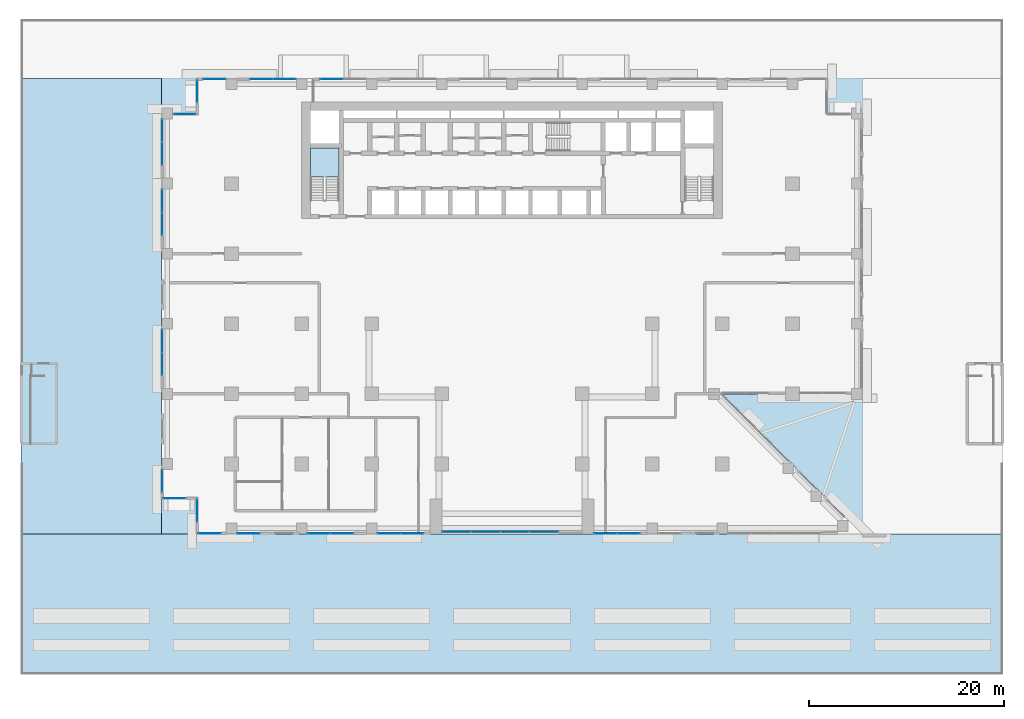
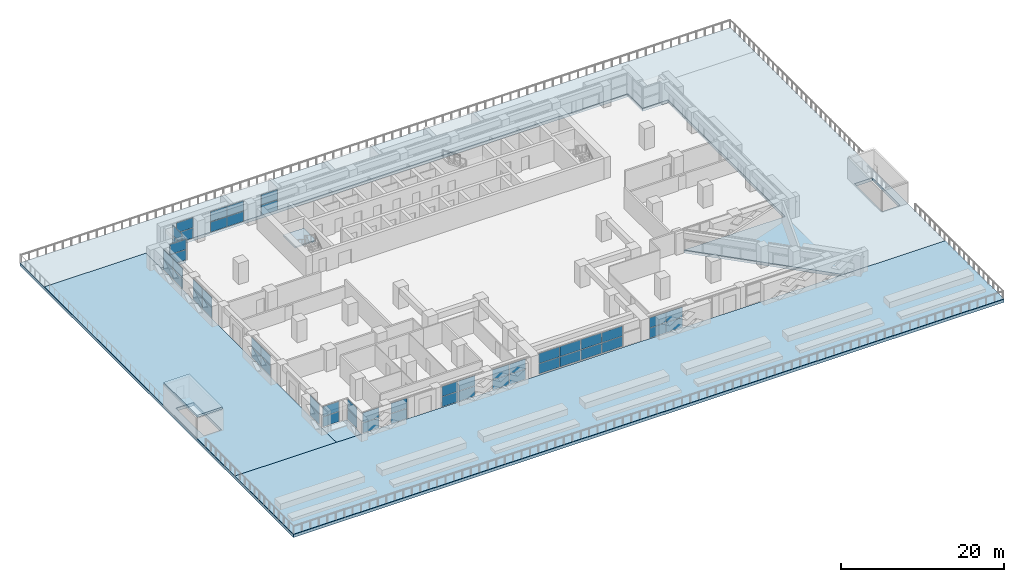
# One storey, part 10 of 24: 54 plates, 5 slabs, 18 elements without a shape of their own.
"""IFC4 building model written with IfcOpenShell, lengths in metres."""

from ifc_helpers import new_model, si_unit, direction, frame, origin, origin_2d, place, context, subcontext, project, spatial, polyline, rectangle, outline, extrude, source, transform, mapped, material, layer, layer_set, type_object, element, aggregate, save


model = new_model("IFC4")

# Units and contexts
model_context = context("Model", 3, precision=1e-05, world=origin(), true_north=direction((0.0, 1.0)))
body_context = subcontext(model_context, "Body", "Model", "MODEL_VIEW")
ifc_project = project(units=[si_unit("LENGTHUNIT", "METRE"), si_unit("AREAUNIT", "SQUARE_METRE"), si_unit("VOLUMEUNIT", "CUBIC_METRE"), si_unit("PLANEANGLEUNIT", "RADIAN"), si_unit("MASSUNIT", "GRAM", prefix="KILO")], contexts=[model_context])

# Site, building, storey
site_placement = place(None, origin())
site = spatial("IfcSite", under=ifc_project, at=site_placement, CompositionType="ELEMENT")
building_placement = place(site_placement, origin())
building = spatial("IfcBuilding", under=site, at=building_placement, Name="Saffron Iwan Residences", CompositionType="ELEMENT")
storey_placement = place(building_placement, frame((0.0, 0.0, 27.0)))
storey = spatial("IfcBuildingStorey", under=building, at=storey_placement, Name="L05", CompositionType="ELEMENT", Elevation=27.0)

# Slabs
ifc_material_1 = material(Name="Concrete C40/50", Category="concrete")
ifc_layer_1 = layer(ifc_material_1, 0.449951171875)
ifc_layer_set_1 = layer_set([ifc_layer_1], Name="Concrete C40/50")
slab_type_1 = type_object("IfcSlabType", Name="PT TERRACE PLATE 450 C40/50", PredefinedType="FLOOR", material=ifc_layer_set_1)
slab_1_placement = place(storey_placement, frame((0.0, 0.0, -0.4501953125)))
element("IfcSlab", 1, at=slab_1_placement, inside=storey, type_object=slab_type_1, Name="Terrace slab L05", PredefinedType="FLOOR", context=body_context, shape_type="SweptSolid", body=[
    extrude(outline(polyline([(100.800048828125, 19.199951171875), (0.0, 19.199951171875), (0.0, 86.39990234375), (100.800048828125, 86.39990234375), (100.800048828125, 19.199951171875)]), holes=[polyline([(72.01220703125, 47.9951171875), (86.405029296875, 47.9951171875), (86.405029296875, 76.804931640625), (82.804931640625, 76.804931640625), (82.804931640625, 80.405029296875), (17.9951171875, 80.405029296875), (17.9951171875, 76.804931640625), (14.39501953125, 76.804931640625), (14.39501953125, 37.195068359375), (17.9951171875, 37.195068359375), (17.9951171875, 33.594970703125), (86.412109375, 33.594970703125), (72.01220703125, 47.9951171875)]), polyline([(3.550048828125, 49.799560546875), (1.0, 49.799560546875), (1.0, 43.0), (3.550048828125, 43.0), (3.550048828125, 49.799560546875)]), polyline([(99.800048828125, 49.799560546875), (97.25, 49.799560546875), (97.25, 43.0), (99.800048828125, 43.0), (99.800048828125, 49.799560546875)])]), origin(), (0.0, 0.0, 1.0), 0.4501953125),
])
ifc_layer_2 = layer(ifc_material_1, 0.320068359375)
ifc_layer_set_2 = layer_set([ifc_layer_2], Name="Concrete C40/50")
slab_type_2 = type_object("IfcSlabType", Name="Podium stair head-house roof, 320", PredefinedType="ROOF", material=ifc_layer_set_2)
slab_2_placement = place(storey_placement, frame((0.0, 0.0, 3.179931640625)))
element("IfcSlab", 2, at=slab_2_placement, inside=storey, type_object=slab_type_2, Name="HH-ROOF-PS1", PredefinedType="ROOF", context=body_context, shape_type="SweptSolid", body=[
    extrude(outline(polyline([(3.64990234375, 42.89990234375), (3.64990234375, 51.10009765625), (0.0, 51.10009765625), (0.0, 42.89990234375), (3.64990234375, 42.89990234375)])), origin(), (0.0, 0.0, 1.0), 0.320068359375),
])

# Stair, slab
ifc_material_2 = material(Name="Concrete C50/60", Category="concrete")
stair_type = type_object("IfcStairType", Name="Stair ST-CORE", PredefinedType="HALF_TURN_STAIR", material=ifc_material_2)
stair_placement = place(storey_placement, origin())
stair = element("IfcStair", 3, at=stair_placement, inside=storey, type_object=stair_type, Name="L05 Exit Stair ST-W", PredefinedType="HALF_TURN_STAIR")
ifc_layer_3 = layer(ifc_material_2, 0.199951171875)
ifc_layer_set_3 = layer_set([ifc_layer_3], Name="Concrete C50/60")
slab_type_3 = type_object("IfcSlabType", Name="Stair landing SL-RC", PredefinedType="LANDING", material=ifc_layer_set_3)
slab_3_placement = place(storey_placement, frame((0.0, 0.0, 1.5498046875)))
slab_3 = element("IfcSlab", 4, at=slab_3_placement, type_object=slab_type_3, Name="ST-W landing 1", PredefinedType="LANDING", context=body_context, shape_type="SweptSolid", body=[
    extrude(outline(polyline([(32.64990234375, 70.280029296875), (32.64990234375, 73.25), (29.699951171875, 73.25), (29.699951171875, 70.280029296875), (32.64990234375, 70.280029296875)])), origin(), (0.0, 0.0, 1.0), 0.2001953125),
])
aggregate(stair, [slab_3])

# Slabs
ifc_material_3 = material(Name="Stone paving", Category="masonry")
ifc_layer_4 = layer(ifc_material_3, 0.050048828125)
ifc_layer_set_4 = layer_set([ifc_layer_4], Name="Stone paving")
slab_type_4 = type_object("IfcSlabType", Name="TERRACE PAVING 50", PredefinedType="USERDEFINED", material=ifc_layer_set_4)
slab_4_placement = place(storey_placement, origin())
element("IfcSlab", 5, at=slab_4_placement, inside=storey, type_object=slab_type_4, Name="Terrace paving L05 S1", ObjectType="PAVING", PredefinedType="USERDEFINED", context=body_context, shape_type="SweptSolid", body=[
    extrude(outline(polyline([(100.800048828125, 33.60009765625), (86.39990234375, 33.60009765625), (18.0, 33.60009765625), (0.0, 33.60009765625), (0.0, 19.199951171875), (100.800048828125, 19.199951171875), (100.800048828125, 33.60009765625)])), origin(), (0.0, 0.0, 1.0), 0.050048828125),
])
slab_5_placement = place(storey_placement, origin())
element("IfcSlab", 6, at=slab_5_placement, inside=storey, type_object=slab_type_4, Name="Terrace paving L05 W3", ObjectType="PAVING", PredefinedType="USERDEFINED", context=body_context, shape_type="SweptSolid", body=[
    extrude(outline(polyline([(0.0, 33.60009765625), (14.39990234375, 33.60009765625), (14.39990234375, 37.199951171875), (14.39990234375, 76.800048828125), (14.39990234375, 80.39990234375), (0.0, 80.39990234375), (0.0, 33.60009765625)]), holes=[polyline([(3.550048828125, 49.799560546875), (1.0, 49.799560546875), (1.0, 43.0), (3.550048828125, 43.0), (3.550048828125, 49.799560546875)])]), origin(), (0.0, 0.0, 1.0), 0.050048828125),
])

# Curtain wall, plates
ifc_material_4 = material(Name="Clear glass, laminated double glazed", Category="glass")
ifc_layer_5 = layer(ifc_material_4, 0.14990234375)
ifc_layer_set_5 = layer_set([ifc_layer_5], Name="Clear glass, laminated double glazed")
curtain_wall_type_1 = type_object("IfcCurtainWallType", Name="CW-D GARDEN FLOOR GLAZING", PredefinedType="NOTDEFINED", material=ifc_layer_set_5)
curtain_wall_1_placement = place(storey_placement, origin())
curtain_wall_1 = element("IfcCurtainWall", 7, at=curtain_wall_1_placement, inside=storey, type_object=curtain_wall_type_1, Name="Glazing L05 F5.9", PredefinedType="NOTDEFINED")
ifc_layer_6 = layer(ifc_material_4, 0.028076171875)
ifc_layer_set_6 = layer_set([ifc_layer_6], Name="Clear glass, laminated double glazed")
plate_type_1 = type_object("IfcPlateType", Name="CW-D PANEL 28", PredefinedType="CURTAIN_PANEL", material=ifc_layer_set_6)
shared_shape_1 = source(origin(), body_context, "Body", "SweptSolid", [
    extrude(rectangle(XDim=2.280029296875, YDim=0.028076171875, at=origin_2d()), origin(), (0.0, 0.0, 1.0), 1.5),
])
plate_1_placement = place(storey_placement, frame((19.85009765625, 80.320068359375, 0.06005859375), z_axis=(0.0, 0.0, 1.0), x_axis=(-1.0, 0.0, 0.0)))
plate_1 = element("IfcPlate", 8, at=plate_1_placement, type_object=plate_type_1, Name="CW-D panel 1.1", PredefinedType="CURTAIN_PANEL", context=body_context, shape_type="MappedRepresentation", body=[
    mapped(shared_shape_1, transform((0.0, 0.0, 0.0))),
])
plate_2_placement = place(storey_placement, frame((19.85009765625, 80.320068359375, 1.6201171875), z_axis=(0.0, 0.0, 1.0), x_axis=(-1.0, 0.0, 0.0)))
plate_2 = element("IfcPlate", 9, at=plate_2_placement, type_object=plate_type_1, Name="CW-D panel 1.2", PredefinedType="CURTAIN_PANEL", context=body_context, shape_type="MappedRepresentation", body=[
    mapped(shared_shape_1, transform((0.0, 0.0, 0.0))),
])
aggregate(curtain_wall_1, [plate_1, plate_2])

curtain_wall_2_placement = place(storey_placement, origin())
curtain_wall_2 = element("IfcCurtainWall", 10, at=curtain_wall_2_placement, inside=storey, type_object=curtain_wall_type_1, Name="Glazing L05 F6.0", PredefinedType="NOTDEFINED")
plate_3_placement = place(storey_placement, frame((18.080078125, 79.070068359375, 0.06005859375), z_axis=(0.0, 0.0, 1.0), x_axis=(0.0, -1.0, 0.0)))
plate_3 = element("IfcPlate", 11, at=plate_3_placement, type_object=plate_type_1, Name="CW-D panel 1.1", PredefinedType="CURTAIN_PANEL", context=body_context, shape_type="MappedRepresentation", body=[
    mapped(shared_shape_1, transform((0.0, 0.0, 0.0))),
])
plate_4_placement = place(storey_placement, frame((18.080078125, 79.070068359375, 1.6201171875), z_axis=(0.0, 0.0, 1.0), x_axis=(0.0, -1.0, 0.0)))
plate_4 = element("IfcPlate", 12, at=plate_4_placement, type_object=plate_type_1, Name="CW-D panel 1.2", PredefinedType="CURTAIN_PANEL", context=body_context, shape_type="MappedRepresentation", body=[
    mapped(shared_shape_1, transform((0.0, 0.0, 0.0))),
])
aggregate(curtain_wall_2, [plate_3, plate_4])

curtain_wall_3_placement = place(storey_placement, origin())
curtain_wall_3 = element("IfcCurtainWall", 13, at=curtain_wall_3_placement, inside=storey, type_object=curtain_wall_type_1, Name="Glazing L05 F7.0", PredefinedType="NOTDEFINED")
plate_5_placement = place(storey_placement, frame((16.7900390625, 76.719970703125, 0.06005859375), z_axis=(0.0, 0.0, 1.0), x_axis=(-1.0, 0.0, 0.0)))
plate_5 = element("IfcPlate", 14, at=plate_5_placement, type_object=plate_type_1, Name="CW-D panel 1.1", PredefinedType="CURTAIN_PANEL", context=body_context, shape_type="MappedRepresentation", body=[
    mapped(shared_shape_1, transform((0.0, 0.0, 0.0))),
])
plate_6_placement = place(storey_placement, frame((16.7900390625, 76.719970703125, 1.6201171875), z_axis=(0.0, 0.0, 1.0), x_axis=(-1.0, 0.0, 0.0)))
plate_6 = element("IfcPlate", 15, at=plate_6_placement, type_object=plate_type_1, Name="CW-D panel 1.2", PredefinedType="CURTAIN_PANEL", context=body_context, shape_type="MappedRepresentation", body=[
    mapped(shared_shape_1, transform((0.0, 0.0, 0.0))),
])
aggregate(curtain_wall_3, [plate_5, plate_6])

curtain_wall_4_placement = place(storey_placement, origin())
curtain_wall_4 = element("IfcCurtainWall", 16, at=curtain_wall_4_placement, inside=storey, type_object=curtain_wall_type_1, Name="Glazing L05 F8.6", PredefinedType="NOTDEFINED")
plate_7_placement = place(storey_placement, frame((14.47998046875, 39.050048828125, 0.06005859375), z_axis=(0.0, 0.0, 1.0), x_axis=(0.0, -1.0, 0.0)))
plate_7 = element("IfcPlate", 17, at=plate_7_placement, type_object=plate_type_1, Name="CW-D panel 1.1", PredefinedType="CURTAIN_PANEL", context=body_context, shape_type="MappedRepresentation", body=[
    mapped(shared_shape_1, transform((0.0, 0.0, 0.0))),
])
plate_8_placement = place(storey_placement, frame((14.47998046875, 39.050048828125, 1.6201171875), z_axis=(0.0, 0.0, 1.0), x_axis=(0.0, -1.0, 0.0)))
plate_8 = element("IfcPlate", 18, at=plate_8_placement, type_object=plate_type_1, Name="CW-D panel 1.2", PredefinedType="CURTAIN_PANEL", context=body_context, shape_type="MappedRepresentation", body=[
    mapped(shared_shape_1, transform((0.0, 0.0, 0.0))),
])
aggregate(curtain_wall_4, [plate_7, plate_8])

curtain_wall_5_placement = place(storey_placement, origin())
curtain_wall_5 = element("IfcCurtainWall", 19, at=curtain_wall_5_placement, inside=storey, type_object=curtain_wall_type_1, Name="Glazing L05 F9.0", PredefinedType="NOTDEFINED")
plate_9_placement = place(storey_placement, frame((15.72998046875, 37.280029296875, 0.06005859375), z_axis=(0.0, 0.0, 1.0), x_axis=(1.0, 0.0, 0.0)))
plate_9 = element("IfcPlate", 20, at=plate_9_placement, type_object=plate_type_1, Name="CW-D panel 1.1", PredefinedType="CURTAIN_PANEL", context=body_context, shape_type="MappedRepresentation", body=[
    mapped(shared_shape_1, transform((0.0, 0.0, 0.0))),
])
plate_10_placement = place(storey_placement, frame((15.72998046875, 37.280029296875, 1.6201171875), z_axis=(0.0, 0.0, 1.0), x_axis=(1.0, 0.0, 0.0)))
plate_10 = element("IfcPlate", 21, at=plate_10_placement, type_object=plate_type_1, Name="CW-D panel 1.2", PredefinedType="CURTAIN_PANEL", context=body_context, shape_type="MappedRepresentation", body=[
    mapped(shared_shape_1, transform((0.0, 0.0, 0.0))),
])
aggregate(curtain_wall_5, [plate_9, plate_10])

curtain_wall_6_placement = place(storey_placement, origin())
curtain_wall_6 = element("IfcCurtainWall", 22, at=curtain_wall_6_placement, inside=storey, type_object=curtain_wall_type_1, Name="Glazing L05 F10.0", PredefinedType="NOTDEFINED")
plate_11_placement = place(storey_placement, frame((18.080078125, 36.030029296875, 0.06005859375), z_axis=(0.0, 0.0, 1.0), x_axis=(0.0, -1.0, 0.0)))
plate_11 = element("IfcPlate", 23, at=plate_11_placement, type_object=plate_type_1, Name="CW-D panel 1.1", PredefinedType="CURTAIN_PANEL", context=body_context, shape_type="MappedRepresentation", body=[
    mapped(shared_shape_1, transform((0.0, 0.0, 0.0))),
])
plate_12_placement = place(storey_placement, frame((18.080078125, 36.030029296875, 1.6201171875), z_axis=(0.0, 0.0, 1.0), x_axis=(0.0, -1.0, 0.0)))
plate_12 = element("IfcPlate", 24, at=plate_12_placement, type_object=plate_type_1, Name="CW-D panel 1.2", PredefinedType="CURTAIN_PANEL", context=body_context, shape_type="MappedRepresentation", body=[
    mapped(shared_shape_1, transform((0.0, 0.0, 0.0))),
])
aggregate(curtain_wall_6, [plate_11, plate_12])

curtain_wall_7_placement = place(storey_placement, origin())
curtain_wall_7 = element("IfcCurtainWall", 25, at=curtain_wall_7_placement, inside=storey, type_object=curtain_wall_type_1, Name="Glazing L05 F11.0", PredefinedType="NOTDEFINED")
plate_13_placement = place(storey_placement, frame((19.330078125, 33.679931640625, 0.06005859375), z_axis=(0.0, 0.0, 1.0), x_axis=(1.0, 0.0, 0.0)))
plate_13 = element("IfcPlate", 26, at=plate_13_placement, type_object=plate_type_1, Name="CW-D panel 1.1", PredefinedType="CURTAIN_PANEL", context=body_context, shape_type="MappedRepresentation", body=[
    mapped(shared_shape_1, transform((0.0, 0.0, 0.0))),
])
plate_14_placement = place(storey_placement, frame((19.330078125, 33.679931640625, 1.6201171875), z_axis=(0.0, 0.0, 1.0), x_axis=(1.0, 0.0, 0.0)))
plate_14 = element("IfcPlate", 27, at=plate_14_placement, type_object=plate_type_1, Name="CW-D panel 1.2", PredefinedType="CURTAIN_PANEL", context=body_context, shape_type="MappedRepresentation", body=[
    mapped(shared_shape_1, transform((0.0, 0.0, 0.0))),
])
aggregate(curtain_wall_7, [plate_13, plate_14])

curtain_wall_8_placement = place(storey_placement, origin())
curtain_wall_8 = element("IfcCurtainWall", 28, at=curtain_wall_8_placement, inside=storey, type_object=curtain_wall_type_1, Name="Glazing L05 F11.1", PredefinedType="NOTDEFINED")
plate_15_placement = place(storey_placement, frame((23.35009765625, 33.679931640625, 0.06005859375), z_axis=(0.0, 0.0, 1.0), x_axis=(1.0, 0.0, 0.0)))
plate_15 = element("IfcPlate", 29, at=plate_15_placement, type_object=plate_type_1, Name="CW-D panel 1.1", PredefinedType="CURTAIN_PANEL", context=body_context, shape_type="MappedRepresentation", body=[
    mapped(shared_shape_1, transform((0.0, 0.0, 0.0))),
])
plate_16_placement = place(storey_placement, frame((23.35009765625, 33.679931640625, 1.6201171875), z_axis=(0.0, 0.0, 1.0), x_axis=(1.0, 0.0, 0.0)))
plate_16 = element("IfcPlate", 30, at=plate_16_placement, type_object=plate_type_1, Name="CW-D panel 1.2", PredefinedType="CURTAIN_PANEL", context=body_context, shape_type="MappedRepresentation", body=[
    mapped(shared_shape_1, transform((0.0, 0.0, 0.0))),
])
aggregate(curtain_wall_8, [plate_15, plate_16])

curtain_wall_9_placement = place(storey_placement, origin())
curtain_wall_9 = element("IfcCurtainWall", 31, at=curtain_wall_9_placement, inside=storey, type_object=curtain_wall_type_1, Name="Glazing L05 F5.7", PredefinedType="NOTDEFINED")
shared_shape_2 = source(origin(), body_context, "Body", "SweptSolid", [
    extrude(rectangle(XDim=2.31005859375, YDim=0.028076171875, at=origin_2d()), origin(), (0.0, 0.0, 1.0), 1.5),
])
plate_17_placement = place(storey_placement, frame((31.864990234375, 80.320068359375, 0.06005859375), z_axis=(0.0, 0.0, 1.0), x_axis=(-1.0, 0.0, 0.0)))
plate_17 = element("IfcPlate", 32, at=plate_17_placement, type_object=plate_type_1, Name="CW-D panel 2.1", PredefinedType="CURTAIN_PANEL", context=body_context, shape_type="MappedRepresentation", body=[
    mapped(shared_shape_2, transform((0.0, 0.0, 0.0))),
])
plate_18_placement = place(storey_placement, frame((31.864990234375, 80.320068359375, 1.6201171875), z_axis=(0.0, 0.0, 1.0), x_axis=(-1.0, 0.0, 0.0)))
plate_18 = element("IfcPlate", 33, at=plate_18_placement, type_object=plate_type_1, Name="CW-D panel 2.2", PredefinedType="CURTAIN_PANEL", context=body_context, shape_type="MappedRepresentation", body=[
    mapped(shared_shape_2, transform((0.0, 0.0, 0.0))),
])
aggregate(curtain_wall_9, [plate_17, plate_18])

curtain_wall_10_placement = place(storey_placement, origin())
curtain_wall_10 = element("IfcCurtainWall", 34, at=curtain_wall_10_placement, inside=storey, type_object=curtain_wall_type_1, Name="Glazing L05 F5.8", PredefinedType="NOTDEFINED")
plate_19_placement = place(storey_placement, frame((27.034912109375, 80.320068359375, 0.06005859375), z_axis=(0.0, 0.0, 1.0), x_axis=(-1.0, 0.0, 0.0)))
plate_19 = element("IfcPlate", 35, at=plate_19_placement, type_object=plate_type_1, Name="CW-D panel 1.1", PredefinedType="CURTAIN_PANEL", context=body_context, shape_type="MappedRepresentation", body=[
    mapped(shared_shape_2, transform((0.0, 0.0, 0.0))),
])
plate_20_placement = place(storey_placement, frame((27.034912109375, 80.320068359375, 1.6201171875), z_axis=(0.0, 0.0, 1.0), x_axis=(-1.0, 0.0, 0.0)))
plate_20 = element("IfcPlate", 36, at=plate_20_placement, type_object=plate_type_1, Name="CW-D panel 1.2", PredefinedType="CURTAIN_PANEL", context=body_context, shape_type="MappedRepresentation", body=[
    mapped(shared_shape_2, transform((0.0, 0.0, 0.0))),
])
plate_21_placement = place(storey_placement, frame((24.6650390625, 80.320068359375, 0.06005859375), z_axis=(0.0, 0.0, 1.0), x_axis=(-1.0, 0.0, 0.0)))
plate_21 = element("IfcPlate", 37, at=plate_21_placement, type_object=plate_type_1, Name="CW-D panel 2.1", PredefinedType="CURTAIN_PANEL", context=body_context, shape_type="MappedRepresentation", body=[
    mapped(shared_shape_2, transform((0.0, 0.0, 0.0))),
])
plate_22_placement = place(storey_placement, frame((24.6650390625, 80.320068359375, 1.6201171875), z_axis=(0.0, 0.0, 1.0), x_axis=(-1.0, 0.0, 0.0)))
plate_22 = element("IfcPlate", 38, at=plate_22_placement, type_object=plate_type_1, Name="CW-D panel 2.2", PredefinedType="CURTAIN_PANEL", context=body_context, shape_type="MappedRepresentation", body=[
    mapped(shared_shape_2, transform((0.0, 0.0, 0.0))),
])
aggregate(curtain_wall_10, [plate_19, plate_20, plate_21, plate_22])

curtain_wall_11_placement = place(storey_placement, origin())
curtain_wall_11 = element("IfcCurtainWall", 39, at=curtain_wall_11_placement, inside=storey, type_object=curtain_wall_type_1, Name="Glazing L05 F8.0", PredefinedType="NOTDEFINED")
plate_23_placement = place(storey_placement, frame((14.47998046875, 75.034912109375, 0.06005859375), z_axis=(0.0, 0.0, 1.0), x_axis=(0.0, -1.0, 0.0)))
plate_23 = element("IfcPlate", 40, at=plate_23_placement, type_object=plate_type_1, Name="CW-D panel 1.1", PredefinedType="CURTAIN_PANEL", context=body_context, shape_type="MappedRepresentation", body=[
    mapped(shared_shape_2, transform((0.0, 0.0, 0.0))),
])
plate_24_placement = place(storey_placement, frame((14.47998046875, 75.034912109375, 1.6201171875), z_axis=(0.0, 0.0, 1.0), x_axis=(0.0, -1.0, 0.0)))
plate_24 = element("IfcPlate", 41, at=plate_24_placement, type_object=plate_type_1, Name="CW-D panel 1.2", PredefinedType="CURTAIN_PANEL", context=body_context, shape_type="MappedRepresentation", body=[
    mapped(shared_shape_2, transform((0.0, 0.0, 0.0))),
])
plate_25_placement = place(storey_placement, frame((14.47998046875, 72.6650390625, 0.06005859375), z_axis=(0.0, 0.0, 1.0), x_axis=(0.0, -1.0, 0.0)))
plate_25 = element("IfcPlate", 42, at=plate_25_placement, type_object=plate_type_1, Name="CW-D panel 2.1", PredefinedType="CURTAIN_PANEL", context=body_context, shape_type="MappedRepresentation", body=[
    mapped(shared_shape_2, transform((0.0, 0.0, 0.0))),
])
plate_26_placement = place(storey_placement, frame((14.47998046875, 72.6650390625, 1.6201171875), z_axis=(0.0, 0.0, 1.0), x_axis=(0.0, -1.0, 0.0)))
plate_26 = element("IfcPlate", 43, at=plate_26_placement, type_object=plate_type_1, Name="CW-D panel 2.2", PredefinedType="CURTAIN_PANEL", context=body_context, shape_type="MappedRepresentation", body=[
    mapped(shared_shape_2, transform((0.0, 0.0, 0.0))),
])
aggregate(curtain_wall_11, [plate_23, plate_24, plate_25, plate_26])

curtain_wall_12_placement = place(storey_placement, origin())
curtain_wall_12 = element("IfcCurtainWall", 44, at=curtain_wall_12_placement, inside=storey, type_object=curtain_wall_type_1, Name="Glazing L05 F8.1", PredefinedType="NOTDEFINED")
plate_27_placement = place(storey_placement, frame((14.47998046875, 67.8349609375, 0.06005859375), z_axis=(0.0, 0.0, 1.0), x_axis=(0.0, -1.0, 0.0)))
plate_27 = element("IfcPlate", 45, at=plate_27_placement, type_object=plate_type_1, Name="CW-D panel 1.1", PredefinedType="CURTAIN_PANEL", context=body_context, shape_type="MappedRepresentation", body=[
    mapped(shared_shape_2, transform((0.0, 0.0, 0.0))),
])
plate_28_placement = place(storey_placement, frame((14.47998046875, 67.8349609375, 1.6201171875), z_axis=(0.0, 0.0, 1.0), x_axis=(0.0, -1.0, 0.0)))
plate_28 = element("IfcPlate", 46, at=plate_28_placement, type_object=plate_type_1, Name="CW-D panel 1.2", PredefinedType="CURTAIN_PANEL", context=body_context, shape_type="MappedRepresentation", body=[
    mapped(shared_shape_2, transform((0.0, 0.0, 0.0))),
])
plate_29_placement = place(storey_placement, frame((14.47998046875, 65.465087890625, 0.06005859375), z_axis=(0.0, 0.0, 1.0), x_axis=(0.0, -1.0, 0.0)))
plate_29 = element("IfcPlate", 47, at=plate_29_placement, type_object=plate_type_1, Name="CW-D panel 2.1", PredefinedType="CURTAIN_PANEL", context=body_context, shape_type="MappedRepresentation", body=[
    mapped(shared_shape_2, transform((0.0, 0.0, 0.0))),
])
plate_30_placement = place(storey_placement, frame((14.47998046875, 65.465087890625, 1.6201171875), z_axis=(0.0, 0.0, 1.0), x_axis=(0.0, -1.0, 0.0)))
plate_30 = element("IfcPlate", 48, at=plate_30_placement, type_object=plate_type_1, Name="CW-D panel 2.2", PredefinedType="CURTAIN_PANEL", context=body_context, shape_type="MappedRepresentation", body=[
    mapped(shared_shape_2, transform((0.0, 0.0, 0.0))),
])
aggregate(curtain_wall_12, [plate_27, plate_28, plate_29, plate_30])

curtain_wall_13_placement = place(storey_placement, origin())
curtain_wall_13 = element("IfcCurtainWall", 49, at=curtain_wall_13_placement, inside=storey, type_object=curtain_wall_type_1, Name="Glazing L05 F8.3", PredefinedType="NOTDEFINED")
plate_31_placement = place(storey_placement, frame((14.47998046875, 53.43505859375, 0.06005859375), z_axis=(0.0, 0.0, 1.0), x_axis=(0.0, -1.0, 0.0)))
plate_31 = element("IfcPlate", 50, at=plate_31_placement, type_object=plate_type_1, Name="CW-D panel 1.1", PredefinedType="CURTAIN_PANEL", context=body_context, shape_type="MappedRepresentation", body=[
    mapped(shared_shape_2, transform((0.0, 0.0, 0.0))),
])
plate_32_placement = place(storey_placement, frame((14.47998046875, 53.43505859375, 1.6201171875), z_axis=(0.0, 0.0, 1.0), x_axis=(0.0, -1.0, 0.0)))
plate_32 = element("IfcPlate", 51, at=plate_32_placement, type_object=plate_type_1, Name="CW-D panel 1.2", PredefinedType="CURTAIN_PANEL", context=body_context, shape_type="MappedRepresentation", body=[
    mapped(shared_shape_2, transform((0.0, 0.0, 0.0))),
])
plate_33_placement = place(storey_placement, frame((14.47998046875, 51.06494140625, 0.06005859375), z_axis=(0.0, 0.0, 1.0), x_axis=(0.0, -1.0, 0.0)))
plate_33 = element("IfcPlate", 52, at=plate_33_placement, type_object=plate_type_1, Name="CW-D panel 2.1", PredefinedType="CURTAIN_PANEL", context=body_context, shape_type="MappedRepresentation", body=[
    mapped(shared_shape_2, transform((0.0, 0.0, 0.0))),
])
plate_34_placement = place(storey_placement, frame((14.47998046875, 51.06494140625, 1.6201171875), z_axis=(0.0, 0.0, 1.0), x_axis=(0.0, -1.0, 0.0)))
plate_34 = element("IfcPlate", 53, at=plate_34_placement, type_object=plate_type_1, Name="CW-D panel 2.2", PredefinedType="CURTAIN_PANEL", context=body_context, shape_type="MappedRepresentation", body=[
    mapped(shared_shape_2, transform((0.0, 0.0, 0.0))),
])
aggregate(curtain_wall_13, [plate_31, plate_32, plate_33, plate_34])

curtain_wall_14_placement = place(storey_placement, origin())
curtain_wall_14 = element("IfcCurtainWall", 54, at=curtain_wall_14_placement, inside=storey, type_object=curtain_wall_type_1, Name="Glazing L05 F11.2", PredefinedType="NOTDEFINED")
plate_35_placement = place(storey_placement, frame((30.56494140625, 33.679931640625, 0.06005859375), z_axis=(0.0, 0.0, 1.0), x_axis=(1.0, 0.0, 0.0)))
plate_35 = element("IfcPlate", 55, at=plate_35_placement, type_object=plate_type_1, Name="CW-D panel 1.1", PredefinedType="CURTAIN_PANEL", context=body_context, shape_type="MappedRepresentation", body=[
    mapped(shared_shape_2, transform((0.0, 0.0, 0.0))),
])
plate_36_placement = place(storey_placement, frame((30.56494140625, 33.679931640625, 1.6201171875), z_axis=(0.0, 0.0, 1.0), x_axis=(1.0, 0.0, 0.0)))
plate_36 = element("IfcPlate", 56, at=plate_36_placement, type_object=plate_type_1, Name="CW-D panel 1.2", PredefinedType="CURTAIN_PANEL", context=body_context, shape_type="MappedRepresentation", body=[
    mapped(shared_shape_2, transform((0.0, 0.0, 0.0))),
])
plate_37_placement = place(storey_placement, frame((32.93505859375, 33.679931640625, 0.06005859375), z_axis=(0.0, 0.0, 1.0), x_axis=(1.0, 0.0, 0.0)))
plate_37 = element("IfcPlate", 57, at=plate_37_placement, type_object=plate_type_1, Name="CW-D panel 2.1", PredefinedType="CURTAIN_PANEL", context=body_context, shape_type="MappedRepresentation", body=[
    mapped(shared_shape_2, transform((0.0, 0.0, 0.0))),
])
plate_38_placement = place(storey_placement, frame((32.93505859375, 33.679931640625, 1.6201171875), z_axis=(0.0, 0.0, 1.0), x_axis=(1.0, 0.0, 0.0)))
plate_38 = element("IfcPlate", 58, at=plate_38_placement, type_object=plate_type_1, Name="CW-D panel 2.2", PredefinedType="CURTAIN_PANEL", context=body_context, shape_type="MappedRepresentation", body=[
    mapped(shared_shape_2, transform((0.0, 0.0, 0.0))),
])
aggregate(curtain_wall_14, [plate_35, plate_36, plate_37, plate_38])

curtain_wall_15_placement = place(storey_placement, origin())
curtain_wall_15 = element("IfcCurtainWall", 59, at=curtain_wall_15_placement, inside=storey, type_object=curtain_wall_type_1, Name="Glazing L05 F11.3", PredefinedType="NOTDEFINED")
plate_39_placement = place(storey_placement, frame((37.764892578125, 33.679931640625, 0.06005859375), z_axis=(0.0, 0.0, 1.0), x_axis=(1.0, 0.0, 0.0)))
plate_39 = element("IfcPlate", 60, at=plate_39_placement, type_object=plate_type_1, Name="CW-D panel 1.1", PredefinedType="CURTAIN_PANEL", context=body_context, shape_type="MappedRepresentation", body=[
    mapped(shared_shape_2, transform((0.0, 0.0, 0.0))),
])
plate_40_placement = place(storey_placement, frame((37.764892578125, 33.679931640625, 1.6201171875), z_axis=(0.0, 0.0, 1.0), x_axis=(1.0, 0.0, 0.0)))
plate_40 = element("IfcPlate", 61, at=plate_40_placement, type_object=plate_type_1, Name="CW-D panel 1.2", PredefinedType="CURTAIN_PANEL", context=body_context, shape_type="MappedRepresentation", body=[
    mapped(shared_shape_2, transform((0.0, 0.0, 0.0))),
])
plate_41_placement = place(storey_placement, frame((40.135009765625, 33.679931640625, 0.06005859375), z_axis=(0.0, 0.0, 1.0), x_axis=(1.0, 0.0, 0.0)))
plate_41 = element("IfcPlate", 62, at=plate_41_placement, type_object=plate_type_1, Name="CW-D panel 2.1", PredefinedType="CURTAIN_PANEL", context=body_context, shape_type="MappedRepresentation", body=[
    mapped(shared_shape_2, transform((0.0, 0.0, 0.0))),
])
plate_42_placement = place(storey_placement, frame((40.135009765625, 33.679931640625, 1.6201171875), z_axis=(0.0, 0.0, 1.0), x_axis=(1.0, 0.0, 0.0)))
plate_42 = element("IfcPlate", 63, at=plate_42_placement, type_object=plate_type_1, Name="CW-D panel 2.2", PredefinedType="CURTAIN_PANEL", context=body_context, shape_type="MappedRepresentation", body=[
    mapped(shared_shape_2, transform((0.0, 0.0, 0.0))),
])
aggregate(curtain_wall_15, [plate_39, plate_40, plate_41, plate_42])

curtain_wall_16_placement = place(storey_placement, origin())
curtain_wall_16 = element("IfcCurtainWall", 64, at=curtain_wall_16_placement, inside=storey, type_object=curtain_wall_type_1, Name="Glazing L05 F11.4", PredefinedType="NOTDEFINED")
plate_43_placement = place(storey_placement, frame((60.014892578125, 33.679931640625, 0.06005859375), z_axis=(0.0, 0.0, 1.0), x_axis=(1.0, 0.0, 0.0)))
plate_43 = element("IfcPlate", 65, at=plate_43_placement, type_object=plate_type_1, Name="CW-D panel 1.1", PredefinedType="CURTAIN_PANEL", context=body_context, shape_type="MappedRepresentation", body=[
    mapped(shared_shape_2, transform((0.0, 0.0, 0.0))),
])
plate_44_placement = place(storey_placement, frame((60.014892578125, 33.679931640625, 1.6201171875), z_axis=(0.0, 0.0, 1.0), x_axis=(1.0, 0.0, 0.0)))
plate_44 = element("IfcPlate", 66, at=plate_44_placement, type_object=plate_type_1, Name="CW-D panel 1.2", PredefinedType="CURTAIN_PANEL", context=body_context, shape_type="MappedRepresentation", body=[
    mapped(shared_shape_2, transform((0.0, 0.0, 0.0))),
])
plate_45_placement = place(storey_placement, frame((62.385009765625, 33.679931640625, 0.06005859375), z_axis=(0.0, 0.0, 1.0), x_axis=(1.0, 0.0, 0.0)))
plate_45 = element("IfcPlate", 67, at=plate_45_placement, type_object=plate_type_1, Name="CW-D panel 2.1", PredefinedType="CURTAIN_PANEL", context=body_context, shape_type="MappedRepresentation", body=[
    mapped(shared_shape_2, transform((0.0, 0.0, 0.0))),
])
plate_46_placement = place(storey_placement, frame((62.385009765625, 33.679931640625, 1.6201171875), z_axis=(0.0, 0.0, 1.0), x_axis=(1.0, 0.0, 0.0)))
plate_46 = element("IfcPlate", 68, at=plate_46_placement, type_object=plate_type_1, Name="CW-D panel 2.2", PredefinedType="CURTAIN_PANEL", context=body_context, shape_type="MappedRepresentation", body=[
    mapped(shared_shape_2, transform((0.0, 0.0, 0.0))),
])
aggregate(curtain_wall_16, [plate_43, plate_44, plate_45, plate_46])

ifc_layer_7 = layer(ifc_material_4, 0.199951171875)
ifc_layer_set_7 = layer_set([ifc_layer_7], Name="Clear glass, laminated double glazed")
curtain_wall_type_2 = type_object("IfcCurtainWallType", Name="CW-B IWAN PORTAL", PredefinedType="NOTDEFINED", material=ifc_layer_set_7)
curtain_wall_17_placement = place(storey_placement, origin())
curtain_wall_17 = element("IfcCurtainWall", 69, at=curtain_wall_17_placement, inside=storey, type_object=curtain_wall_type_2, Name="Iwan portal glazing L05.1", PredefinedType="NOTDEFINED")
ifc_layer_8 = layer(ifc_material_4, 0.028076171875)
ifc_layer_set_8 = layer_set([ifc_layer_8], Name="Clear glass, laminated double glazed")
plate_type_2 = type_object("IfcPlateType", Name="CW-B PANEL 28", PredefinedType="CURTAIN_PANEL", material=ifc_layer_set_8)
shared_shape_3 = source(origin(), body_context, "Body", "SweptSolid", [
    extrude(rectangle(XDim=2.909912109375, YDim=0.028076171875, at=origin_2d()), origin(), (0.0, 0.0, 1.0), 1.5),
])
plate_47_placement = place(storey_placement, frame((44.715087890625, 33.85009765625, 0.06005859375), z_axis=(0.0, 0.0, 1.0), x_axis=(1.0, 0.0, 0.0)))
plate_47 = element("IfcPlate", 70, at=plate_47_placement, type_object=plate_type_2, Name="CW-B panel 1.1", PredefinedType="CURTAIN_PANEL", context=body_context, shape_type="MappedRepresentation", body=[
    mapped(shared_shape_3, transform((0.0, 0.0, 0.0))),
])
plate_48_placement = place(storey_placement, frame((44.715087890625, 33.85009765625, 1.6201171875), z_axis=(0.0, 0.0, 1.0), x_axis=(1.0, 0.0, 0.0)))
plate_48 = element("IfcPlate", 71, at=plate_48_placement, type_object=plate_type_2, Name="CW-B panel 1.2", PredefinedType="CURTAIN_PANEL", context=body_context, shape_type="MappedRepresentation", body=[
    mapped(shared_shape_3, transform((0.0, 0.0, 0.0))),
])
plate_49_placement = place(storey_placement, frame((53.68505859375, 33.85009765625, 0.06005859375), z_axis=(0.0, 0.0, 1.0), x_axis=(1.0, 0.0, 0.0)))
plate_49 = element("IfcPlate", 72, at=plate_49_placement, type_object=plate_type_2, Name="CW-B panel 4.1", PredefinedType="CURTAIN_PANEL", context=body_context, shape_type="MappedRepresentation", body=[
    mapped(shared_shape_3, transform((0.0, 0.0, 0.0))),
])
plate_50_placement = place(storey_placement, frame((53.68505859375, 33.85009765625, 1.6201171875), z_axis=(0.0, 0.0, 1.0), x_axis=(1.0, 0.0, 0.0)))
plate_50 = element("IfcPlate", 73, at=plate_50_placement, type_object=plate_type_2, Name="CW-B panel 4.2", PredefinedType="CURTAIN_PANEL", context=body_context, shape_type="MappedRepresentation", body=[
    mapped(shared_shape_3, transform((0.0, 0.0, 0.0))),
])
shared_shape_4 = source(origin(), body_context, "Body", "SweptSolid", [
    extrude(rectangle(XDim=2.93994140625, YDim=0.028076171875, at=origin_2d()), origin(), (0.0, 0.0, 1.0), 1.5),
])
plate_51_placement = place(storey_placement, frame((47.699951171875, 33.85009765625, 0.06005859375), z_axis=(0.0, 0.0, 1.0), x_axis=(1.0, 0.0, 0.0)))
plate_51 = element("IfcPlate", 74, at=plate_51_placement, type_object=plate_type_2, Name="CW-B panel 2.1", PredefinedType="CURTAIN_PANEL", context=body_context, shape_type="MappedRepresentation", body=[
    mapped(shared_shape_4, transform((0.0, 0.0, 0.0))),
])
plate_52_placement = place(storey_placement, frame((47.699951171875, 33.85009765625, 1.6201171875), z_axis=(0.0, 0.0, 1.0), x_axis=(1.0, 0.0, 0.0)))
plate_52 = element("IfcPlate", 75, at=plate_52_placement, type_object=plate_type_2, Name="CW-B panel 2.2", PredefinedType="CURTAIN_PANEL", context=body_context, shape_type="MappedRepresentation", body=[
    mapped(shared_shape_4, transform((0.0, 0.0, 0.0))),
])
plate_53_placement = place(storey_placement, frame((50.699951171875, 33.85009765625, 0.06005859375), z_axis=(0.0, 0.0, 1.0), x_axis=(1.0, 0.0, 0.0)))
plate_53 = element("IfcPlate", 76, at=plate_53_placement, type_object=plate_type_2, Name="CW-B panel 3.1", PredefinedType="CURTAIN_PANEL", context=body_context, shape_type="MappedRepresentation", body=[
    mapped(shared_shape_4, transform((0.0, 0.0, 0.0))),
])
plate_54_placement = place(storey_placement, frame((50.699951171875, 33.85009765625, 1.6201171875), z_axis=(0.0, 0.0, 1.0), x_axis=(1.0, 0.0, 0.0)))
plate_54 = element("IfcPlate", 77, at=plate_54_placement, type_object=plate_type_2, Name="CW-B panel 3.2", PredefinedType="CURTAIN_PANEL", context=body_context, shape_type="MappedRepresentation", body=[
    mapped(shared_shape_4, transform((0.0, 0.0, 0.0))),
])
aggregate(curtain_wall_17, [plate_47, plate_48, plate_51, plate_52, plate_53, plate_54, plate_49, plate_50])

save(model, "model.ifc")
